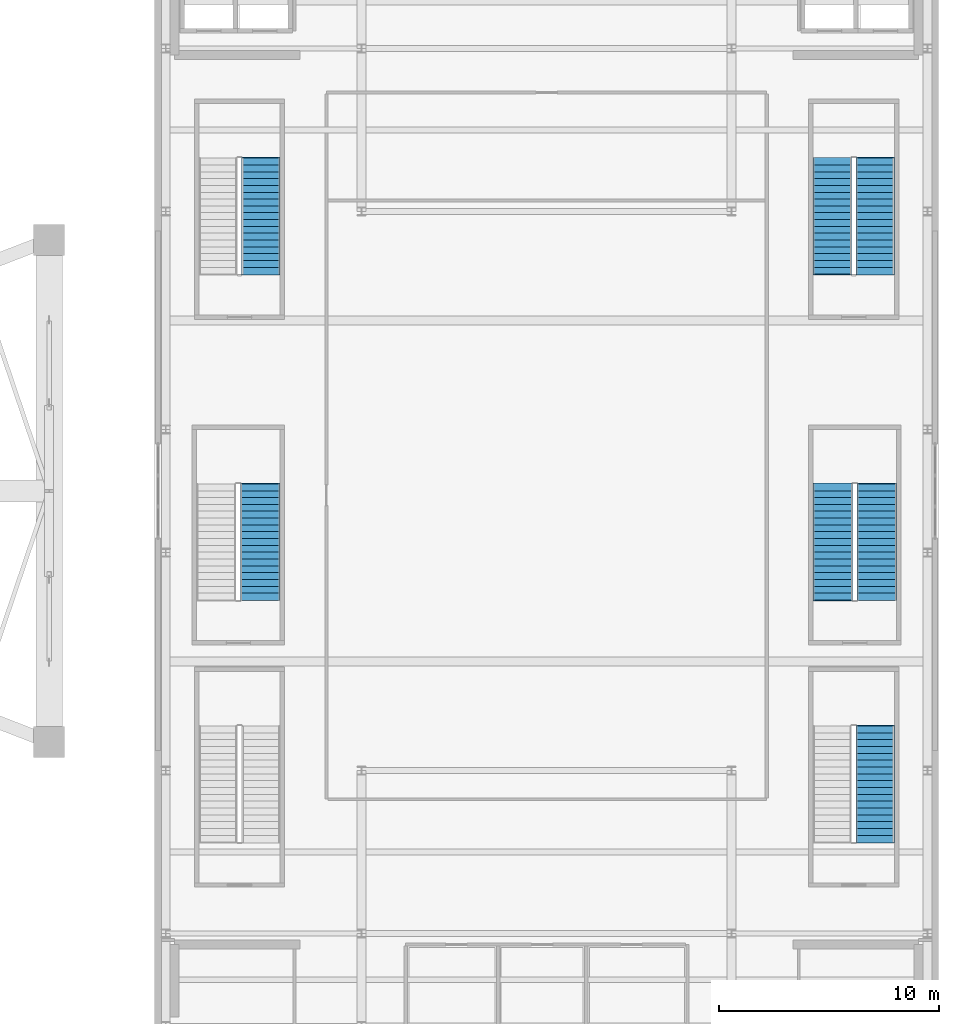
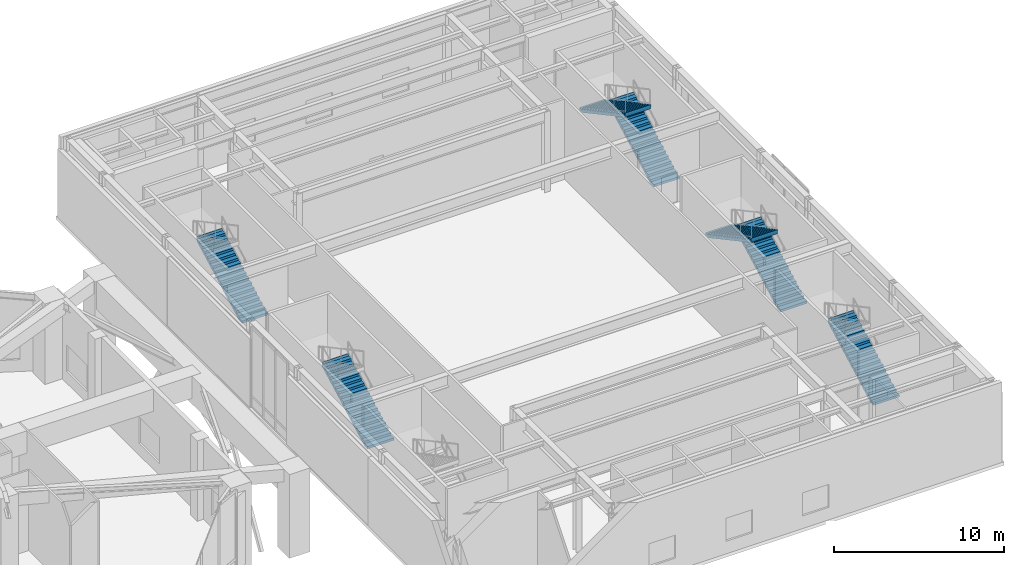
# One storey, part 21 of 25: 7 stair flights, 5 elements without a shape of their own.
"""IFC4 building model written with IfcOpenShell, lengths in metres."""

from ifc_helpers import new_model, si_unit, direction, frame, origin, place, context, subcontext, project, spatial, polyline, outline, extrude, material, type_object, element, aggregate, save


model = new_model("IFC4")

# Units and contexts
model_context = context("Model", 3, precision=1e-05, world=origin(), true_north=direction((0.0, 1.0)))
body_context = subcontext(model_context, "Body", "Model", "MODEL_VIEW")
ifc_project = project(units=[si_unit("LENGTHUNIT", "METRE"), si_unit("AREAUNIT", "SQUARE_METRE"), si_unit("VOLUMEUNIT", "CUBIC_METRE"), si_unit("PLANEANGLEUNIT", "RADIAN"), si_unit("MASSUNIT", "GRAM", prefix="KILO")], contexts=[model_context])

# Site, building, storey
site_placement = place(None, origin())
site = spatial("IfcSite", under=ifc_project, at=site_placement, CompositionType="ELEMENT")
building_placement = place(site_placement, origin())
building = spatial("IfcBuilding", under=site, at=building_placement, Name="Kolvaren Gate Tower and Convention Centre", CompositionType="ELEMENT")
storey_placement = place(building_placement, frame((0.0, 0.0, 15.0)))
storey = spatial("IfcBuildingStorey", under=building, at=storey_placement, Name="L03", CompositionType="ELEMENT", Elevation=15.0)

# Stair, stair flight
ifc_material = material(Name="Concrete C50/60", Category="concrete")
stair_type = type_object("IfcStairType", Name="STR-STAIR-CONV", PredefinedType="HALF_TURN_STAIR", material=ifc_material)
stair_1_placement = place(storey_placement, origin())
stair_1 = element("IfcStair", 1, at=stair_1_placement, inside=storey, type_object=stair_type, Name="L03 Convention NW Exit Stair ST-C1", PredefinedType="HALF_TURN_STAIR")
stair_flight_type = type_object("IfcStairFlightType", Name="STR-SFL-1750", PredefinedType="STRAIGHT", material=ifc_material)
stair_flight_1_placement = place(storey_placement, frame((67.02490234375, 36.85009765625, 0.0), z_axis=(0.0, 0.0, 1.0), x_axis=(0.0, 1.0, 0.0)))
stair_flight_1 = element("IfcStairFlight", 2, at=stair_flight_1_placement, type_object=stair_flight_type, Name="ST-C1 flight 1", NumberOfRisers=18, NumberOfTreads=17, PredefinedType="STRAIGHT", RiserHeight=0.166666667, TreadLength=0.31, context=body_context, shape_type="SweptSolid", body=[
    extrude(outline(polyline([(-0.034912109375, 0.0), (-0.034912109375, 0.166748046875), (0.31005859375, 0.166748046875), (0.31005859375, 0.333251953125), (0.6201171875, 0.333251953125), (0.6201171875, 0.5), (0.929931640625, 0.5), (0.929931640625, 0.666748046875), (1.239990234375, 0.666748046875), (1.239990234375, 0.833251953125), (1.550048828125, 0.833251953125), (1.550048828125, 1.0), (1.860107421875, 1.0), (1.860107421875, 1.166748046875), (2.169921875, 1.166748046875), (2.169921875, 1.333251953125), (2.47998046875, 1.333251953125), (2.47998046875, 1.5), (2.7900390625, 1.5), (2.7900390625, 1.666748046875), (3.10009765625, 1.666748046875), (3.10009765625, 1.833251953125), (3.409912109375, 1.833251953125), (3.409912109375, 2.0), (3.719970703125, 2.0), (3.719970703125, 2.166748046875), (4.030029296875, 2.166748046875), (4.030029296875, 2.333251953125), (4.340087890625, 2.333251953125), (4.340087890625, 2.5), (4.64990234375, 2.5), (4.64990234375, 2.666748046875), (4.9599609375, 2.666748046875), (4.9599609375, 2.833251953125), (5.27001953125, 2.833251953125), (5.27001953125, 3.0), (5.31494140625, 3.0), (5.31494140625, 2.840087890625), (5.27001953125, 2.6630859375), (0.316650390625, 0.0), (-0.034912109375, 0.0)])), frame((0.0, 0.875, 0.0), z_axis=(0.0, -1.0, 0.0), x_axis=(1.0, 0.0, 0.0)), (0.0, 0.0, 1.0), 1.75),
])
aggregate(stair_1, [stair_flight_1])

# Stair, stair flights
stair_2_placement = place(storey_placement, origin())
stair_2 = element("IfcStair", 3, at=stair_2_placement, inside=storey, type_object=stair_type, Name="L03 Convention NE Exit Stair ST-C3", PredefinedType="HALF_TURN_STAIR")
stair_flight_2_placement = place(storey_placement, frame((94.925048828125, 36.85009765625, 0.0), z_axis=(0.0, 0.0, 1.0), x_axis=(0.0, 1.0, 0.0)))
stair_flight_2 = element("IfcStairFlight", 4, at=stair_flight_2_placement, type_object=stair_flight_type, Name="ST-C3 flight 1", NumberOfRisers=18, NumberOfTreads=17, PredefinedType="STRAIGHT", RiserHeight=0.166666667, TreadLength=0.31, context=body_context, shape_type="SweptSolid", body=[
    extrude(outline(polyline([(-0.034912109375, 0.0), (-0.034912109375, 0.166748046875), (0.31005859375, 0.166748046875), (0.31005859375, 0.333251953125), (0.6201171875, 0.333251953125), (0.6201171875, 0.5), (0.929931640625, 0.5), (0.929931640625, 0.666748046875), (1.239990234375, 0.666748046875), (1.239990234375, 0.833251953125), (1.550048828125, 0.833251953125), (1.550048828125, 1.0), (1.860107421875, 1.0), (1.860107421875, 1.166748046875), (2.169921875, 1.166748046875), (2.169921875, 1.333251953125), (2.47998046875, 1.333251953125), (2.47998046875, 1.5), (2.7900390625, 1.5), (2.7900390625, 1.666748046875), (3.10009765625, 1.666748046875), (3.10009765625, 1.833251953125), (3.409912109375, 1.833251953125), (3.409912109375, 2.0), (3.719970703125, 2.0), (3.719970703125, 2.166748046875), (4.030029296875, 2.166748046875), (4.030029296875, 2.333251953125), (4.340087890625, 2.333251953125), (4.340087890625, 2.5), (4.64990234375, 2.5), (4.64990234375, 2.666748046875), (4.9599609375, 2.666748046875), (4.9599609375, 2.833251953125), (5.27001953125, 2.833251953125), (5.27001953125, 3.0), (5.31494140625, 3.0), (5.31494140625, 2.840087890625), (5.27001953125, 2.6630859375), (0.316650390625, 0.0), (-0.034912109375, 0.0)])), frame((0.0, 0.875, 0.0), z_axis=(0.0, -1.0, 0.0), x_axis=(1.0, 0.0, 0.0)), (0.0, 0.0, 1.0), 1.75),
])
stair_flight_3_placement = place(storey_placement, frame((92.97509765625, 42.1201171875, 3.0), z_axis=(0.0, 0.0, 1.0), x_axis=(0.0, -1.0, 0.0)))
stair_flight_3 = element("IfcStairFlight", 5, at=stair_flight_3_placement, type_object=stair_flight_type, Name="ST-C3 flight 2", NumberOfRisers=18, NumberOfTreads=17, PredefinedType="STRAIGHT", RiserHeight=0.166666667, TreadLength=0.31, context=body_context, shape_type="SweptSolid", body=[
    extrude(outline(polyline([(-0.034912109375, 0.0), (-0.034912109375, 0.166748046875), (0.31005859375, 0.166748046875), (0.31005859375, 0.333251953125), (0.6201171875, 0.333251953125), (0.6201171875, 0.5), (0.929931640625, 0.5), (0.929931640625, 0.666748046875), (1.239990234375, 0.666748046875), (1.239990234375, 0.833251953125), (1.550048828125, 0.833251953125), (1.550048828125, 1.0), (1.860107421875, 1.0), (1.860107421875, 1.166748046875), (2.169921875, 1.166748046875), (2.169921875, 1.333251953125), (2.47998046875, 1.333251953125), (2.47998046875, 1.5), (2.7900390625, 1.5), (2.7900390625, 1.666748046875), (3.10009765625, 1.666748046875), (3.10009765625, 1.833251953125), (3.409912109375, 1.833251953125), (3.409912109375, 2.0), (3.719970703125, 2.0), (3.719970703125, 2.166748046875), (4.030029296875, 2.166748046875), (4.030029296875, 2.333251953125), (4.340087890625, 2.333251953125), (4.340087890625, 2.5), (4.64990234375, 2.5), (4.64990234375, 2.666748046875), (4.9599609375, 2.666748046875), (4.9599609375, 2.833251953125), (5.27001953125, 2.833251953125), (5.27001953125, 3.0), (5.31494140625, 3.0), (5.31494140625, 2.840087890625), (5.27001953125, 2.6630859375), (0.316650390625, 0.0), (-0.034912109375, 0.0)])), frame((0.0, 0.875, 0.0), z_axis=(0.0, -1.0, 0.0), x_axis=(1.0, 0.0, 0.0)), (0.0, 0.0, 1.0), 1.75),
])
aggregate(stair_2, [stair_flight_2, stair_flight_3])

# Stair, stair flight
stair_3_placement = place(storey_placement, origin())
stair_3 = element("IfcStair", 6, at=stair_3_placement, inside=storey, type_object=stair_type, Name="L03 Convention SE Exit Stair ST-C4", PredefinedType="HALF_TURN_STAIR")
stair_flight_4_placement = place(storey_placement, frame((94.925048828125, 11.050048828125, 0.0), z_axis=(0.0, 0.0, 1.0), x_axis=(0.0, 1.0, 0.0)))
stair_flight_4 = element("IfcStairFlight", 7, at=stair_flight_4_placement, type_object=stair_flight_type, Name="ST-C4 flight 1", NumberOfRisers=18, NumberOfTreads=17, PredefinedType="STRAIGHT", RiserHeight=0.166666667, TreadLength=0.31, context=body_context, shape_type="SweptSolid", body=[
    extrude(outline(polyline([(-0.034912109375, 0.0), (-0.034912109375, 0.166748046875), (0.31005859375, 0.166748046875), (0.31005859375, 0.333251953125), (0.6201171875, 0.333251953125), (0.6201171875, 0.5), (0.929931640625, 0.5), (0.929931640625, 0.666748046875), (1.239990234375, 0.666748046875), (1.239990234375, 0.833251953125), (1.550048828125, 0.833251953125), (1.550048828125, 1.0), (1.860107421875, 1.0), (1.860107421875, 1.166748046875), (2.169921875, 1.166748046875), (2.169921875, 1.333251953125), (2.47998046875, 1.333251953125), (2.47998046875, 1.5), (2.7900390625, 1.5), (2.7900390625, 1.666748046875), (3.10009765625, 1.666748046875), (3.10009765625, 1.833251953125), (3.409912109375, 1.833251953125), (3.409912109375, 2.0), (3.719970703125, 2.0), (3.719970703125, 2.166748046875), (4.030029296875, 2.166748046875), (4.030029296875, 2.333251953125), (4.340087890625, 2.333251953125), (4.340087890625, 2.5), (4.64990234375, 2.5), (4.64990234375, 2.666748046875), (4.9599609375, 2.666748046875), (4.9599609375, 2.833251953125), (5.27001953125, 2.833251953125), (5.27001953125, 3.0), (5.31494140625, 3.0), (5.31494140625, 2.840087890625), (5.27001953125, 2.6630859375), (0.316650390625, 0.0), (-0.034912109375, 0.0)])), frame((0.0, 0.875, 0.0), z_axis=(0.0, -1.0, 0.0), x_axis=(1.0, 0.0, 0.0)), (0.0, 0.0, 1.0), 1.75),
])
aggregate(stair_3, [stair_flight_4])

stair_4_placement = place(storey_placement, origin())
stair_4 = element("IfcStair", 8, at=stair_4_placement, inside=storey, type_object=stair_type, Name="L03 Convention West Assembly Stair ST-C5", PredefinedType="HALF_TURN_STAIR")
stair_flight_5_placement = place(storey_placement, frame((67.0, 22.050048828125, 0.0), z_axis=(0.0, 0.0, 1.0), x_axis=(0.0, 1.0, 0.0)))
stair_flight_5 = element("IfcStairFlight", 9, at=stair_flight_5_placement, type_object=stair_flight_type, Name="ST-C5 flight 1", NumberOfRisers=18, NumberOfTreads=17, PredefinedType="STRAIGHT", RiserHeight=0.166666667, TreadLength=0.31, context=body_context, shape_type="SweptSolid", body=[
    extrude(outline(polyline([(-0.034912109375, 0.0), (-0.034912109375, 0.166748046875), (0.31005859375, 0.166748046875), (0.31005859375, 0.333251953125), (0.6201171875, 0.333251953125), (0.6201171875, 0.5), (0.929931640625, 0.5), (0.929931640625, 0.666748046875), (1.239990234375, 0.666748046875), (1.239990234375, 0.833251953125), (1.550048828125, 0.833251953125), (1.550048828125, 1.0), (1.860107421875, 1.0), (1.860107421875, 1.166748046875), (2.169921875, 1.166748046875), (2.169921875, 1.333251953125), (2.47998046875, 1.333251953125), (2.47998046875, 1.5), (2.7900390625, 1.5), (2.7900390625, 1.666748046875), (3.10009765625, 1.666748046875), (3.10009765625, 1.833251953125), (3.409912109375, 1.833251953125), (3.409912109375, 2.0), (3.719970703125, 2.0), (3.719970703125, 2.166748046875), (4.030029296875, 2.166748046875), (4.030029296875, 2.333251953125), (4.340087890625, 2.333251953125), (4.340087890625, 2.5), (4.64990234375, 2.5), (4.64990234375, 2.666748046875), (4.9599609375, 2.666748046875), (4.9599609375, 2.833251953125), (5.27001953125, 2.833251953125), (5.27001953125, 3.0), (5.31494140625, 3.0), (5.31494140625, 2.840087890625), (5.27001953125, 2.6630859375), (0.316650390625, 0.0), (-0.034912109375, 0.0)])), frame((0.0, 0.89990234375, 0.0), z_axis=(0.0, -1.0, 0.0), x_axis=(1.0, 0.0, 0.0)), (0.0, 0.0, 1.0), 1.800048828125),
])
aggregate(stair_4, [stair_flight_5])

# Stair, stair flights
stair_5_placement = place(storey_placement, origin())
stair_5 = element("IfcStair", 10, at=stair_5_placement, inside=storey, type_object=stair_type, Name="L03 Convention East Assembly Stair ST-C6", PredefinedType="HALF_TURN_STAIR")
stair_flight_6_placement = place(storey_placement, frame((95.0, 22.050048828125, 0.0), z_axis=(0.0, 0.0, 1.0), x_axis=(0.0, 1.0, 0.0)))
stair_flight_6 = element("IfcStairFlight", 11, at=stair_flight_6_placement, type_object=stair_flight_type, Name="ST-C6 flight 1", NumberOfRisers=18, NumberOfTreads=17, PredefinedType="STRAIGHT", RiserHeight=0.166666667, TreadLength=0.31, context=body_context, shape_type="SweptSolid", body=[
    extrude(outline(polyline([(-0.034912109375, 0.0), (-0.034912109375, 0.166748046875), (0.31005859375, 0.166748046875), (0.31005859375, 0.333251953125), (0.6201171875, 0.333251953125), (0.6201171875, 0.5), (0.929931640625, 0.5), (0.929931640625, 0.666748046875), (1.239990234375, 0.666748046875), (1.239990234375, 0.833251953125), (1.550048828125, 0.833251953125), (1.550048828125, 1.0), (1.860107421875, 1.0), (1.860107421875, 1.166748046875), (2.169921875, 1.166748046875), (2.169921875, 1.333251953125), (2.47998046875, 1.333251953125), (2.47998046875, 1.5), (2.7900390625, 1.5), (2.7900390625, 1.666748046875), (3.10009765625, 1.666748046875), (3.10009765625, 1.833251953125), (3.409912109375, 1.833251953125), (3.409912109375, 2.0), (3.719970703125, 2.0), (3.719970703125, 2.166748046875), (4.030029296875, 2.166748046875), (4.030029296875, 2.333251953125), (4.340087890625, 2.333251953125), (4.340087890625, 2.5), (4.64990234375, 2.5), (4.64990234375, 2.666748046875), (4.9599609375, 2.666748046875), (4.9599609375, 2.833251953125), (5.27001953125, 2.833251953125), (5.27001953125, 3.0), (5.31494140625, 3.0), (5.31494140625, 2.840087890625), (5.27001953125, 2.6630859375), (0.316650390625, 0.0), (-0.034912109375, 0.0)])), frame((0.0, 0.89990234375, 0.0), z_axis=(0.0, -1.0, 0.0), x_axis=(1.0, 0.0, 0.0)), (0.0, 0.0, 1.0), 1.800048828125),
])
stair_flight_7_placement = place(storey_placement, frame((93.0, 27.320068359375, 3.0), z_axis=(0.0, 0.0, 1.0), x_axis=(0.0, -1.0, 0.0)))
stair_flight_7 = element("IfcStairFlight", 12, at=stair_flight_7_placement, type_object=stair_flight_type, Name="ST-C6 flight 2", NumberOfRisers=18, NumberOfTreads=17, PredefinedType="STRAIGHT", RiserHeight=0.166666667, TreadLength=0.31, context=body_context, shape_type="SweptSolid", body=[
    extrude(outline(polyline([(-0.034912109375, 0.0), (-0.034912109375, 0.166748046875), (0.31005859375, 0.166748046875), (0.31005859375, 0.333251953125), (0.6201171875, 0.333251953125), (0.6201171875, 0.5), (0.929931640625, 0.5), (0.929931640625, 0.666748046875), (1.239990234375, 0.666748046875), (1.239990234375, 0.833251953125), (1.550048828125, 0.833251953125), (1.550048828125, 1.0), (1.860107421875, 1.0), (1.860107421875, 1.166748046875), (2.169921875, 1.166748046875), (2.169921875, 1.333251953125), (2.47998046875, 1.333251953125), (2.47998046875, 1.5), (2.7900390625, 1.5), (2.7900390625, 1.666748046875), (3.10009765625, 1.666748046875), (3.10009765625, 1.833251953125), (3.409912109375, 1.833251953125), (3.409912109375, 2.0), (3.719970703125, 2.0), (3.719970703125, 2.166748046875), (4.030029296875, 2.166748046875), (4.030029296875, 2.333251953125), (4.340087890625, 2.333251953125), (4.340087890625, 2.5), (4.64990234375, 2.5), (4.64990234375, 2.666748046875), (4.9599609375, 2.666748046875), (4.9599609375, 2.833251953125), (5.27001953125, 2.833251953125), (5.27001953125, 3.0), (5.31494140625, 3.0), (5.31494140625, 2.840087890625), (5.27001953125, 2.6630859375), (0.316650390625, 0.0), (-0.034912109375, 0.0)])), frame((0.0, 0.89990234375, 0.0), z_axis=(0.0, -1.0, 0.0), x_axis=(1.0, 0.0, 0.0)), (0.0, 0.0, 1.0), 1.800048828125),
])
aggregate(stair_5, [stair_flight_6, stair_flight_7])

save(model, "model.ifc")
